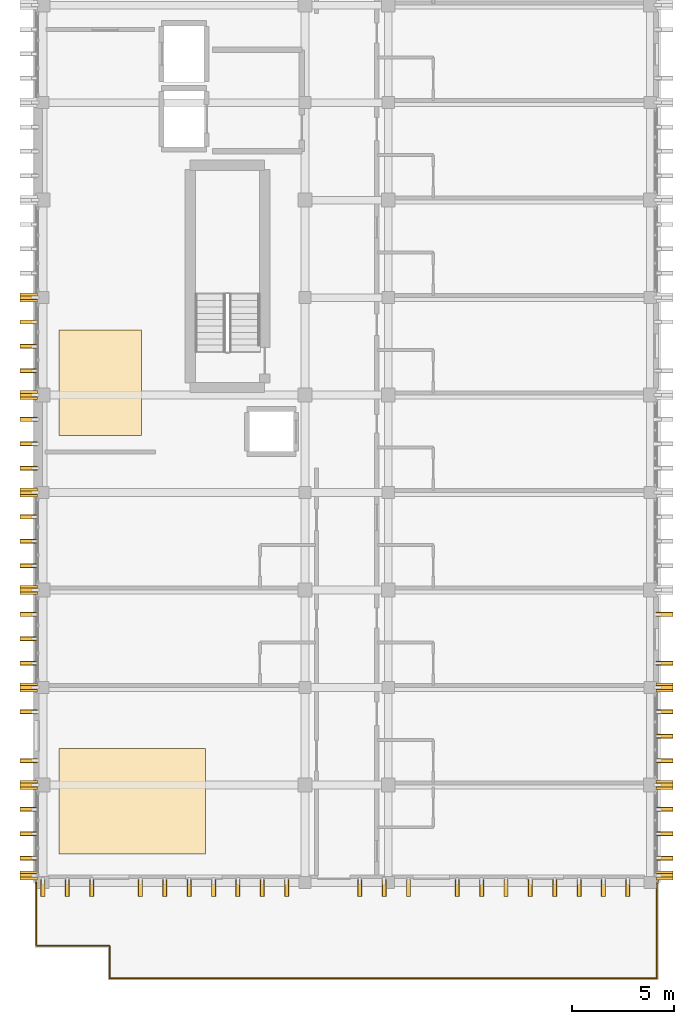
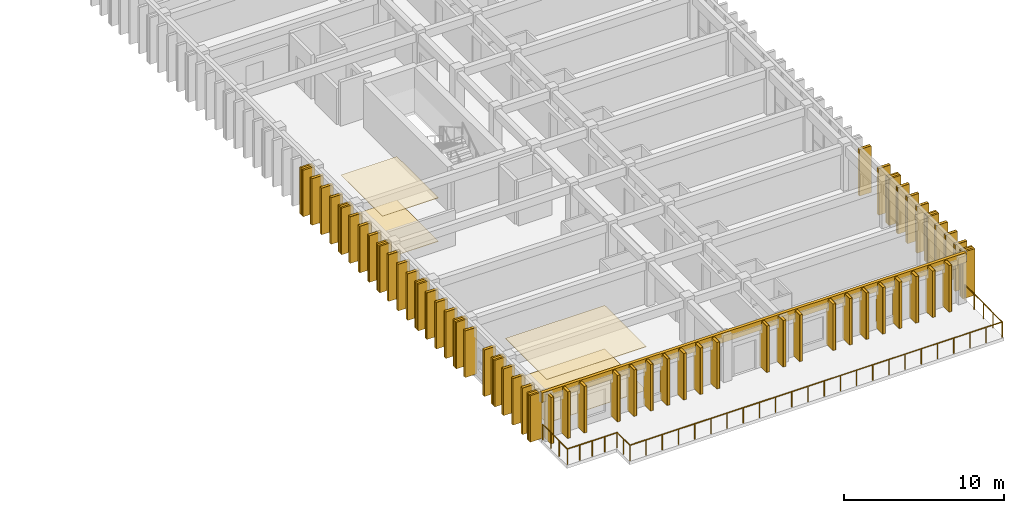
# One storey, part 49 of 53: 61 coverings, 56 shading devices, 1 railing.
"""IFC4 building model written with IfcOpenShell, lengths in metres."""

from ifc_helpers import new_model, si_unit, direction, frame, origin, origin_2d, place, context, subcontext, project, spatial, polyline, rectangle, circle, outline, extrude, material, layer, layer_set, type_object, element, save


model = new_model("IFC4")

# Units and contexts
model_context = context("Model", 3, precision=1e-05, world=origin(), true_north=direction((0.0, 1.0)))
body_context = subcontext(model_context, "Body", "Model", "MODEL_VIEW")
ifc_project = project(units=[si_unit("LENGTHUNIT", "METRE"), si_unit("AREAUNIT", "SQUARE_METRE"), si_unit("VOLUMEUNIT", "CUBIC_METRE"), si_unit("PLANEANGLEUNIT", "RADIAN"), si_unit("MASSUNIT", "GRAM", prefix="KILO")], contexts=[model_context])

# Site, building, storey
site_placement = place(None, origin())
site = spatial("IfcSite", under=ifc_project, at=site_placement, CompositionType="ELEMENT")
building_placement = place(site_placement, origin())
building = spatial("IfcBuilding", under=site, at=building_placement, Name="Nakhvara Creek Congress Hotel", CompositionType="ELEMENT")
storey_placement = place(building_placement, frame((0.0, 0.0, 35.39990234375)))
storey = spatial("IfcBuildingStorey", under=building, at=storey_placement, Name="L08", CompositionType="ELEMENT", Elevation=35.39990234375)

# Coverings
ifc_material_1 = material(Name="Acoustic mineral-fibre and gypsum ceiling board")
ifc_layer_1 = layer(ifc_material_1, 0.0400390625)
ifc_layer_set_1 = layer_set([ifc_layer_1], Name="Acoustic mineral-fibre and gypsum ceiling board")
covering_type_1 = type_object("IfcCoveringType", Name="COV-CEIL-AC", PredefinedType="CEILING", material=ifc_layer_set_1)
covering_1_placement = place(storey_placement, frame((0.0, 0.0, 3.3251953125)))
element("IfcCovering", 1, at=covering_1_placement, inside=storey, type_object=covering_type_1, Name="Acoustic Ceiling L08-LNG-01", PredefinedType="CEILING", context=body_context, shape_type="SweptSolid", body=[
    extrude(outline(polyline([(150.25, 54.199951171875), (157.449951171875, 54.199951171875), (157.449951171875, 59.39990234375), (150.25, 59.39990234375), (150.25, 54.199951171875)])), origin(), (0.0, 0.0, 1.0), 0.034912109375),
])
covering_2_placement = place(storey_placement, frame((0.0, 0.0, 3.3251953125)))
element("IfcCovering", 2, at=covering_2_placement, inside=storey, type_object=covering_type_1, Name="Acoustic Ceiling L08-WSV-01", PredefinedType="CEILING", context=body_context, shape_type="SweptSolid", body=[
    extrude(outline(polyline([(150.25, 74.800048828125), (154.300048828125, 74.800048828125), (154.300048828125, 80.0), (150.25, 80.0), (150.25, 74.800048828125)])), origin(), (0.0, 0.0, 1.0), 0.034912109375),
])
ifc_material_2 = material(Name="Honed pale Omani limestone architectural cladding", Category="masonry")
ifc_layer_2 = layer(ifc_material_2, 0.219970703125)
ifc_layer_set_2 = layer_set([ifc_layer_2], Name="Honed pale Omani limestone architectural cladding")
covering_type_2 = type_object("IfcCoveringType", Name="COV-FIN-850", PredefinedType="CLADDING", material=ifc_layer_set_2)
for number, where, z_axis, x_axis, name in (
    (3, (180.054931640625, 53.14990234375, 0.0), (0.0, 0.0, 1.0), (0.0, 1.0, 0.0), "Pale Limestone Fin Cladding CF01-1975"),
    (4, (148.7451171875, 53.14990234375, 0.0), (0.0, 0.0, 1.0), (0.0, 1.0, 0.0), "Pale Limestone Fin Cladding CF01-1976"),
):
    element("IfcCovering", number, at=place(storey_placement, frame(where, z_axis=z_axis, x_axis=x_axis)), inside=storey, type_object=covering_type_2, Name=name, PredefinedType="CLADDING", context=body_context, shape_type="SweptSolid", body=[
        extrude(rectangle(XDim=0.43994140625, YDim=0.85009765625, at=origin_2d()), origin(), (0.0, 0.0, 1.0), 3.56005859375),
    ])
for number, where, z_axis, x_axis, name in (
    (5, (180.054931640625, 54.0, 0.0), (0.0, 0.0, 1.0), (0.0, 1.0, 0.0), "Pale Limestone Fin Cladding CF01-1977"),
    (6, (148.7451171875, 54.0, 0.0), (0.0, 0.0, 1.0), (0.0, 1.0, 0.0), "Pale Limestone Fin Cladding CF01-1978"),
    (7, (180.054931640625, 55.199951171875, 0.0), (0.0, 0.0, 1.0), (0.0, 1.0, 0.0), "Pale Limestone Fin Cladding CF01-1979"),
    (8, (148.7451171875, 55.199951171875, 0.0), (0.0, 0.0, 1.0), (0.0, 1.0, 0.0), "Pale Limestone Fin Cladding CF01-1980"),
    (9, (180.054931640625, 56.39990234375, 0.0), (0.0, 0.0, 1.0), (0.0, 1.0, 0.0), "Pale Limestone Fin Cladding CF01-1981"),
    (10, (148.7451171875, 56.39990234375, 0.0), (0.0, 0.0, 1.0), (0.0, 1.0, 0.0), "Pale Limestone Fin Cladding CF01-1982"),
):
    element("IfcCovering", number, at=place(storey_placement, frame(where, z_axis=z_axis, x_axis=x_axis)), inside=storey, type_object=covering_type_2, Name=name, PredefinedType="CLADDING", context=body_context, shape_type="SweptSolid", body=[
        extrude(rectangle(XDim=0.219970703125, YDim=0.85009765625, at=origin_2d()), origin(), (0.0, 0.0, 1.0), 3.56005859375),
    ])
for number, where, z_axis, x_axis, name in (
    (11, (180.054931640625, 57.60009765625, 0.0), (0.0, 0.0, 1.0), (0.0, 1.0, 0.0), "Pale Limestone Fin Cladding CF01-1983"),
    (12, (148.7451171875, 57.60009765625, 0.0), (0.0, 0.0, 1.0), (0.0, 1.0, 0.0), "Pale Limestone Fin Cladding CF01-1984"),
):
    element("IfcCovering", number, at=place(storey_placement, frame(where, z_axis=z_axis, x_axis=x_axis)), inside=storey, type_object=covering_type_2, Name=name, PredefinedType="CLADDING", context=body_context, shape_type="SweptSolid", body=[
        extrude(rectangle(XDim=0.43994140625, YDim=0.85009765625, at=origin_2d()), origin(), (0.0, 0.0, 1.0), 3.56005859375),
    ])
for number, where, z_axis, x_axis, name in (
    (13, (180.054931640625, 58.800048828125, 0.0), (0.0, 0.0, 1.0), (0.0, 1.0, 0.0), "Pale Limestone Fin Cladding CF01-1985"),
    (14, (148.7451171875, 58.800048828125, 0.0), (0.0, 0.0, 1.0), (0.0, 1.0, 0.0), "Pale Limestone Fin Cladding CF01-1986"),
    (15, (180.054931640625, 60.0, 0.0), (0.0, 0.0, 1.0), (0.0, 1.0, 0.0), "Pale Limestone Fin Cladding CF01-1987"),
    (16, (180.054931640625, 61.199951171875, 0.0), (0.0, 0.0, 1.0), (0.0, 1.0, 0.0), "Pale Limestone Fin Cladding CF01-1988"),
    (17, (148.7451171875, 61.199951171875, 0.0), (0.0, 0.0, 1.0), (0.0, 1.0, 0.0), "Pale Limestone Fin Cladding CF01-1989"),
):
    element("IfcCovering", number, at=place(storey_placement, frame(where, z_axis=z_axis, x_axis=x_axis)), inside=storey, type_object=covering_type_2, Name=name, PredefinedType="CLADDING", context=body_context, shape_type="SweptSolid", body=[
        extrude(rectangle(XDim=0.219970703125, YDim=0.85009765625, at=origin_2d()), origin(), (0.0, 0.0, 1.0), 3.56005859375),
    ])
for number, where, z_axis, x_axis, name in (
    (18, (180.054931640625, 62.39990234375, 0.0), (0.0, 0.0, 1.0), (0.0, 1.0, 0.0), "Pale Limestone Fin Cladding CF01-1990"),
    (19, (148.7451171875, 62.39990234375, 0.0), (0.0, 0.0, 1.0), (0.0, 1.0, 0.0), "Pale Limestone Fin Cladding CF01-1991"),
):
    element("IfcCovering", number, at=place(storey_placement, frame(where, z_axis=z_axis, x_axis=x_axis)), inside=storey, type_object=covering_type_2, Name=name, PredefinedType="CLADDING", context=body_context, shape_type="SweptSolid", body=[
        extrude(rectangle(XDim=0.43994140625, YDim=0.85009765625, at=origin_2d()), origin(), (0.0, 0.0, 1.0), 3.56005859375),
    ])
for number, where, z_axis, x_axis, name in (
    (20, (180.054931640625, 63.60009765625, 0.0), (0.0, 0.0, 1.0), (0.0, 1.0, 0.0), "Pale Limestone Fin Cladding CF01-1992"),
    (21, (148.7451171875, 63.60009765625, 0.0), (0.0, 0.0, 1.0), (0.0, 1.0, 0.0), "Pale Limestone Fin Cladding CF01-1993"),
    (22, (148.7451171875, 64.800048828125, 0.0), (0.0, 0.0, 1.0), (0.0, 1.0, 0.0), "Pale Limestone Fin Cladding CF01-1994"),
    (23, (180.054931640625, 66.0, 0.0), (0.0, 0.0, 1.0), (0.0, 1.0, 0.0), "Pale Limestone Fin Cladding CF01-1995"),
    (24, (148.7451171875, 66.0, 0.0), (0.0, 0.0, 1.0), (0.0, 1.0, 0.0), "Pale Limestone Fin Cladding CF01-1996"),
):
    element("IfcCovering", number, at=place(storey_placement, frame(where, z_axis=z_axis, x_axis=x_axis)), inside=storey, type_object=covering_type_2, Name=name, PredefinedType="CLADDING", context=body_context, shape_type="SweptSolid", body=[
        extrude(rectangle(XDim=0.219970703125, YDim=0.85009765625, at=origin_2d()), origin(), (0.0, 0.0, 1.0), 3.56005859375),
    ])
covering_3_placement = place(storey_placement, frame((148.7451171875, 67.199951171875, 0.0), z_axis=(0.0, 0.0, 1.0), x_axis=(0.0, 1.0, 0.0)))
element("IfcCovering", 25, at=covering_3_placement, inside=storey, type_object=covering_type_2, Name="Pale Limestone Fin Cladding CF01-1998", PredefinedType="CLADDING", context=body_context, shape_type="SweptSolid", body=[
    extrude(rectangle(XDim=0.43994140625, YDim=0.85009765625, at=origin_2d()), origin(), (0.0, 0.0, 1.0), 3.56005859375),
])
for number, where, z_axis, x_axis, name in (
    (26, (148.7451171875, 68.39990234375, 0.0), (0.0, 0.0, 1.0), (0.0, 1.0, 0.0), "Pale Limestone Fin Cladding CF01-2000"),
    (27, (148.7451171875, 69.60009765625, 0.0), (0.0, 0.0, 1.0), (0.0, 1.0, 0.0), "Pale Limestone Fin Cladding CF01-2002"),
    (28, (148.7451171875, 70.800048828125, 0.0), (0.0, 0.0, 1.0), (0.0, 1.0, 0.0), "Pale Limestone Fin Cladding CF01-2004"),
):
    element("IfcCovering", number, at=place(storey_placement, frame(where, z_axis=z_axis, x_axis=x_axis)), inside=storey, type_object=covering_type_2, Name=name, PredefinedType="CLADDING", context=body_context, shape_type="SweptSolid", body=[
        extrude(rectangle(XDim=0.219970703125, YDim=0.85009765625, at=origin_2d()), origin(), (0.0, 0.0, 1.0), 3.56005859375),
    ])
covering_4_placement = place(storey_placement, frame((148.7451171875, 72.0, 0.0), z_axis=(0.0, 0.0, 1.0), x_axis=(0.0, 1.0, 0.0)))
element("IfcCovering", 29, at=covering_4_placement, inside=storey, type_object=covering_type_2, Name="Pale Limestone Fin Cladding CF01-2006", PredefinedType="CLADDING", context=body_context, shape_type="SweptSolid", body=[
    extrude(rectangle(XDim=0.43994140625, YDim=0.85009765625, at=origin_2d()), origin(), (0.0, 0.0, 1.0), 3.56005859375),
])
for number, where, z_axis, x_axis, name in (
    (30, (148.7451171875, 73.199951171875, 0.0), (0.0, 0.0, 1.0), (0.0, 1.0, 0.0), "Pale Limestone Fin Cladding CF01-2008"),
    (31, (148.7451171875, 74.39990234375, 0.0), (0.0, 0.0, 1.0), (0.0, 1.0, 0.0), "Pale Limestone Fin Cladding CF01-2010"),
    (32, (148.7451171875, 75.60009765625, 0.0), (0.0, 0.0, 1.0), (0.0, 1.0, 0.0), "Pale Limestone Fin Cladding CF01-2012"),
):
    element("IfcCovering", number, at=place(storey_placement, frame(where, z_axis=z_axis, x_axis=x_axis)), inside=storey, type_object=covering_type_2, Name=name, PredefinedType="CLADDING", context=body_context, shape_type="SweptSolid", body=[
        extrude(rectangle(XDim=0.219970703125, YDim=0.85009765625, at=origin_2d()), origin(), (0.0, 0.0, 1.0), 3.56005859375),
    ])
covering_5_placement = place(storey_placement, frame((148.7451171875, 76.800048828125, 0.0), z_axis=(0.0, 0.0, 1.0), x_axis=(0.0, 1.0, 0.0)))
element("IfcCovering", 33, at=covering_5_placement, inside=storey, type_object=covering_type_2, Name="Pale Limestone Fin Cladding CF01-2014", PredefinedType="CLADDING", context=body_context, shape_type="SweptSolid", body=[
    extrude(rectangle(XDim=0.43994140625, YDim=0.85009765625, at=origin_2d()), origin(), (0.0, 0.0, 1.0), 3.56005859375),
])
for number, where, z_axis, x_axis, name in (
    (34, (148.7451171875, 78.0, 0.0), (0.0, 0.0, 1.0), (0.0, 1.0, 0.0), "Pale Limestone Fin Cladding CF01-2016"),
    (35, (148.7451171875, 79.199951171875, 0.0), (0.0, 0.0, 1.0), (0.0, 1.0, 0.0), "Pale Limestone Fin Cladding CF01-2017"),
    (36, (148.7451171875, 80.39990234375, 0.0), (0.0, 0.0, 1.0), (0.0, 1.0, 0.0), "Pale Limestone Fin Cladding CF01-2019"),
):
    element("IfcCovering", number, at=place(storey_placement, frame(where, z_axis=z_axis, x_axis=x_axis)), inside=storey, type_object=covering_type_2, Name=name, PredefinedType="CLADDING", context=body_context, shape_type="SweptSolid", body=[
        extrude(rectangle(XDim=0.219970703125, YDim=0.85009765625, at=origin_2d()), origin(), (0.0, 0.0, 1.0), 3.56005859375),
    ])
covering_6_placement = place(storey_placement, frame((148.7451171875, 81.60009765625, 0.0), z_axis=(0.0, 0.0, 1.0), x_axis=(0.0, 1.0, 0.0)))
element("IfcCovering", 37, at=covering_6_placement, inside=storey, type_object=covering_type_2, Name="Pale Limestone Fin Cladding CF01-2021", PredefinedType="CLADDING", context=body_context, shape_type="SweptSolid", body=[
    extrude(rectangle(XDim=0.43994140625, YDim=0.85009765625, at=origin_2d()), origin(), (0.0, 0.0, 1.0), 3.56005859375),
])
for number, where, z_axis, x_axis, name in (
    (38, (149.449951171875, 52.534912109375, 0.0), (0.0, 0.0, 1.0), (1.0, 0.0, 0.0), "Pale Limestone Fin Cladding CF01-2094"),
    (39, (150.64990234375, 52.534912109375, 0.0), (0.0, 0.0, 1.0), (1.0, 0.0, 0.0), "Pale Limestone Fin Cladding CF01-2096"),
    (40, (151.85009765625, 52.534912109375, 0.0), (0.0, 0.0, 1.0), (1.0, 0.0, 0.0), "Pale Limestone Fin Cladding CF01-2098"),
    (41, (154.25, 52.534912109375, 0.0), (0.0, 0.0, 1.0), (1.0, 0.0, 0.0), "Pale Limestone Fin Cladding CF01-2100"),
    (42, (155.449951171875, 52.534912109375, 0.0), (0.0, 0.0, 1.0), (1.0, 0.0, 0.0), "Pale Limestone Fin Cladding CF01-2102"),
    (43, (156.64990234375, 52.534912109375, 0.0), (0.0, 0.0, 1.0), (1.0, 0.0, 0.0), "Pale Limestone Fin Cladding CF01-2104"),
    (44, (157.85009765625, 52.534912109375, 0.0), (0.0, 0.0, 1.0), (1.0, 0.0, 0.0), "Pale Limestone Fin Cladding CF01-2106"),
    (45, (159.050048828125, 52.534912109375, 0.0), (0.0, 0.0, 1.0), (1.0, 0.0, 0.0), "Pale Limestone Fin Cladding CF01-2108"),
    (46, (160.25, 52.534912109375, 0.0), (0.0, 0.0, 1.0), (1.0, 0.0, 0.0), "Pale Limestone Fin Cladding CF01-2110"),
    (47, (161.449951171875, 52.534912109375, 0.0), (0.0, 0.0, 1.0), (1.0, 0.0, 0.0), "Pale Limestone Fin Cladding CF01-2112"),
    (48, (165.050048828125, 52.534912109375, 0.0), (0.0, 0.0, 1.0), (1.0, 0.0, 0.0), "Pale Limestone Fin Cladding CF01-2116"),
    (49, (166.25, 52.534912109375, 0.0), (0.0, 0.0, 1.0), (1.0, 0.0, 0.0), "Pale Limestone Fin Cladding CF01-2118"),
    (50, (167.449951171875, 52.534912109375, 0.0), (0.0, 0.0, 1.0), (1.0, 0.0, 0.0), "Pale Limestone Fin Cladding CF01-2120"),
    (51, (169.85009765625, 52.534912109375, 0.0), (0.0, 0.0, 1.0), (1.0, 0.0, 0.0), "Pale Limestone Fin Cladding CF01-2123"),
    (52, (171.050048828125, 52.534912109375, 0.0), (0.0, 0.0, 1.0), (1.0, 0.0, 0.0), "Pale Limestone Fin Cladding CF01-2125"),
    (53, (172.25, 52.534912109375, 0.0), (0.0, 0.0, 1.0), (1.0, 0.0, 0.0), "Pale Limestone Fin Cladding CF01-2127"),
    (54, (173.449951171875, 52.534912109375, 0.0), (0.0, 0.0, 1.0), (1.0, 0.0, 0.0), "Pale Limestone Fin Cladding CF01-2129"),
    (55, (174.64990234375, 52.534912109375, 0.0), (0.0, 0.0, 1.0), (1.0, 0.0, 0.0), "Pale Limestone Fin Cladding CF01-2131"),
    (56, (175.85009765625, 52.534912109375, 0.0), (0.0, 0.0, 1.0), (1.0, 0.0, 0.0), "Pale Limestone Fin Cladding CF01-2132"),
    (57, (177.050048828125, 52.534912109375, 0.0), (0.0, 0.0, 1.0), (1.0, 0.0, 0.0), "Pale Limestone Fin Cladding CF01-2134"),
    (58, (178.25, 52.534912109375, 0.0), (0.0, 0.0, 1.0), (1.0, 0.0, 0.0), "Pale Limestone Fin Cladding CF01-2136"),
):
    element("IfcCovering", number, at=place(storey_placement, frame(where, z_axis=z_axis, x_axis=x_axis)), inside=storey, type_object=covering_type_2, Name=name, PredefinedType="CLADDING", context=body_context, shape_type="SweptSolid", body=[
        extrude(rectangle(XDim=0.219970703125, YDim=0.85009765625, at=origin_2d()), origin(), (0.0, 0.0, 1.0), 3.56005859375),
    ])
ifc_material_3 = material(Name="Honed limestone and terrazzo acoustic floor finish", Category="masonry")
ifc_layer_3 = layer(ifc_material_3, 0.044921875)
ifc_layer_set_3 = layer_set([ifc_layer_3], Name="Honed limestone and terrazzo acoustic floor finish")
covering_type_3 = type_object("IfcCoveringType", Name="COV-FLR-TER", PredefinedType="FLOORING", material=ifc_layer_set_3)
covering_7_placement = place(storey_placement, origin())
element("IfcCovering", 59, at=covering_7_placement, inside=storey, type_object=covering_type_3, Name="Floor Finish L08-LNG-01", PredefinedType="FLOORING", context=body_context, shape_type="SweptSolid", body=[
    extrude(outline(polyline([(150.25, 54.199951171875), (157.449951171875, 54.199951171875), (157.449951171875, 59.39990234375), (150.25, 59.39990234375), (150.25, 54.199951171875)])), origin(), (0.0, 0.0, 1.0), 0.030029296875),
])
covering_8_placement = place(storey_placement, origin())
element("IfcCovering", 60, at=covering_8_placement, inside=storey, type_object=covering_type_3, Name="Floor Finish L08-WSV-01", PredefinedType="FLOORING", context=body_context, shape_type="SweptSolid", body=[
    extrude(outline(polyline([(150.25, 74.800048828125), (154.300048828125, 74.800048828125), (154.300048828125, 80.0), (150.25, 80.0), (150.25, 74.800048828125)])), origin(), (0.0, 0.0, 1.0), 0.030029296875),
])
ifc_layer_4 = layer(ifc_material_2, 0.179931640625)
ifc_layer_set_4 = layer_set([ifc_layer_4], Name="Honed pale Omani limestone architectural cladding")
covering_type_4 = type_object("IfcCoveringType", Name="COV-SPN-180", PredefinedType="CLADDING", material=ifc_layer_set_4)
covering_9_placement = place(storey_placement, frame((164.39990234375, 52.830078125, 2.91015625), z_axis=(0.0, 0.0, 1.0), x_axis=(1.0, 0.0, 0.0)))
element("IfcCovering", 61, at=covering_9_placement, inside=storey, type_object=covering_type_4, Name="Pale Limestone Spandrel Band CF02-0076", PredefinedType="CLADDING", context=body_context, shape_type="SweptSolid", body=[
    extrude(rectangle(XDim=30.699951171875, YDim=0.219970703125, at=origin_2d()), origin(), (0.0, 0.0, 1.0), 0.72998046875),
])

# Railing
ifc_material_4 = material(Name="Bronze-anodised aluminium and laminated safety glass balustrade", Category="aluminium")
railing_type = type_object("IfcRailingType", Name="RL-BALUS-1200", PredefinedType="BALUSTRADE", material=ifc_material_4)
railing_placement = place(storey_placement, frame((149.1298828125, 52.760009765625, 0.0)))
element("IfcRailing", 62, at=railing_placement, inside=storey, type_object=railing_type, Name="Terrace Balustrade GR02-L08-006", PredefinedType="BALUSTRADE", context=body_context, shape_type="SweptSolid", body=[
    extrude(circle(Radius=0.02392578125, at=origin_2d()), frame((0.0, -0.0146484375, 1.17578125), z_axis=(0.0, -1.0, 0.0), x_axis=(1.0, 0.0, 0.0)), (0.0, 0.0, 1.0), 3.05078125),
    extrude(circle(Radius=0.02392578125, at=origin_2d()), frame((0.0146484375, -3.080078125, 1.17578125), z_axis=(1.0, 0.0, 0.0), x_axis=(0.0, 1.0, 0.0)), (0.0, 0.0, 1.0), 3.57080078125),
    extrude(circle(Radius=0.02392578125, at=origin_2d()), frame((3.60009765625, -3.0947265625, 1.17578125), z_axis=(0.0, -1.0, 0.0), x_axis=(1.0, 0.0, 0.0)), (0.0, 0.0, 1.0), 1.570556640625),
    extrude(circle(Radius=0.02392578125, at=origin_2d()), frame((3.61474609375, -4.679931640625, 1.17578125), z_axis=(1.0, 0.0, 0.0), x_axis=(0.0, 1.0, 0.0)), (0.0, 0.0, 1.0), 26.91064453125),
    extrude(circle(Radius=0.02392578125, at=origin_2d()), frame((30.5400390625, -4.665283203125, 1.17578125), z_axis=(0.0, 1.0, 0.0), x_axis=(-1.0, 0.0, 0.0)), (0.0, 0.0, 1.0), 4.650634765625),
    extrude(circle(Radius=0.02099609375, at=origin_2d()), origin(), (0.0, 0.0, 1.0), 1.1806640625),
    extrude(circle(Radius=0.02099609375, at=origin_2d()), frame((0.0, -1.026611328125, 0.0)), (0.0, 0.0, 1.0), 1.1806640625),
    extrude(circle(Radius=0.02099609375, at=origin_2d()), frame((0.0, -2.053466796875, 0.0)), (0.0, 0.0, 1.0), 1.1806640625),
    extrude(circle(Radius=0.02099609375, at=origin_2d()), frame((0.0, -3.080078125, 0.0)), (0.0, 0.0, 1.0), 1.1806640625),
    extrude(circle(Radius=0.02099609375, at=origin_2d()), frame((0.89990234375, -3.080078125, 0.0)), (0.0, 0.0, 1.0), 1.1806640625),
    extrude(circle(Radius=0.02099609375, at=origin_2d()), frame((1.800048828125, -3.080078125, 0.0)), (0.0, 0.0, 1.0), 1.1806640625),
    extrude(circle(Radius=0.02099609375, at=origin_2d()), frame((2.7001953125, -3.080078125, 0.0)), (0.0, 0.0, 1.0), 1.1806640625),
    extrude(circle(Radius=0.02099609375, at=origin_2d()), frame((3.60009765625, -3.080078125, 0.0)), (0.0, 0.0, 1.0), 1.1806640625),
    extrude(circle(Radius=0.02099609375, at=origin_2d()), frame((3.60009765625, -3.8798828125, 0.0)), (0.0, 0.0, 1.0), 1.1806640625),
    extrude(circle(Radius=0.02099609375, at=origin_2d()), frame((3.60009765625, -4.679931640625, 0.0)), (0.0, 0.0, 1.0), 1.1806640625),
    extrude(circle(Radius=0.02099609375, at=origin_2d()), frame((4.771484375, -4.679931640625, 0.0)), (0.0, 0.0, 1.0), 1.1806640625),
    extrude(circle(Radius=0.02099609375, at=origin_2d()), frame((5.942626953125, -4.679931640625, 0.0)), (0.0, 0.0, 1.0), 1.1806640625),
    extrude(circle(Radius=0.02099609375, at=origin_2d()), frame((7.114013671875, -4.679931640625, 0.0)), (0.0, 0.0, 1.0), 1.1806640625),
    extrude(circle(Radius=0.02099609375, at=origin_2d()), frame((8.285400390625, -4.679931640625, 0.0)), (0.0, 0.0, 1.0), 1.1806640625),
    extrude(circle(Radius=0.02099609375, at=origin_2d()), frame((9.45654296875, -4.679931640625, 0.0)), (0.0, 0.0, 1.0), 1.1806640625),
    extrude(circle(Radius=0.02099609375, at=origin_2d()), frame((10.6279296875, -4.679931640625, 0.0)), (0.0, 0.0, 1.0), 1.1806640625),
    extrude(circle(Radius=0.02099609375, at=origin_2d()), frame((11.79931640625, -4.679931640625, 0.0)), (0.0, 0.0, 1.0), 1.1806640625),
    extrude(circle(Radius=0.02099609375, at=origin_2d()), frame((12.970458984375, -4.679931640625, 0.0)), (0.0, 0.0, 1.0), 1.1806640625),
    extrude(circle(Radius=0.02099609375, at=origin_2d()), frame((14.141845703125, -4.679931640625, 0.0)), (0.0, 0.0, 1.0), 1.1806640625),
    extrude(circle(Radius=0.02099609375, at=origin_2d()), frame((15.313232421875, -4.679931640625, 0.0)), (0.0, 0.0, 1.0), 1.1806640625),
    extrude(circle(Radius=0.02099609375, at=origin_2d()), frame((16.484375, -4.679931640625, 0.0)), (0.0, 0.0, 1.0), 1.1806640625),
    extrude(circle(Radius=0.02099609375, at=origin_2d()), frame((17.65576171875, -4.679931640625, 0.0)), (0.0, 0.0, 1.0), 1.1806640625),
    extrude(circle(Radius=0.02099609375, at=origin_2d()), frame((18.826904296875, -4.679931640625, 0.0)), (0.0, 0.0, 1.0), 1.1806640625),
    extrude(circle(Radius=0.02099609375, at=origin_2d()), frame((19.998291015625, -4.679931640625, 0.0)), (0.0, 0.0, 1.0), 1.1806640625),
    extrude(circle(Radius=0.02099609375, at=origin_2d()), frame((21.169677734375, -4.679931640625, 0.0)), (0.0, 0.0, 1.0), 1.1806640625),
    extrude(circle(Radius=0.02099609375, at=origin_2d()), frame((22.3408203125, -4.679931640625, 0.0)), (0.0, 0.0, 1.0), 1.1806640625),
    extrude(circle(Radius=0.02099609375, at=origin_2d()), frame((23.51220703125, -4.679931640625, 0.0)), (0.0, 0.0, 1.0), 1.1806640625),
    extrude(circle(Radius=0.02099609375, at=origin_2d()), frame((24.68359375, -4.679931640625, 0.0)), (0.0, 0.0, 1.0), 1.1806640625),
    extrude(circle(Radius=0.02099609375, at=origin_2d()), frame((25.854736328125, -4.679931640625, 0.0)), (0.0, 0.0, 1.0), 1.1806640625),
    extrude(circle(Radius=0.02099609375, at=origin_2d()), frame((27.026123046875, -4.679931640625, 0.0)), (0.0, 0.0, 1.0), 1.1806640625),
    extrude(circle(Radius=0.02099609375, at=origin_2d()), frame((28.197509765625, -4.679931640625, 0.0)), (0.0, 0.0, 1.0), 1.1806640625),
    extrude(circle(Radius=0.02099609375, at=origin_2d()), frame((29.36865234375, -4.679931640625, 0.0)), (0.0, 0.0, 1.0), 1.1806640625),
    extrude(circle(Radius=0.02099609375, at=origin_2d()), frame((30.5400390625, -4.679931640625, 0.0)), (0.0, 0.0, 1.0), 1.1806640625),
    extrude(circle(Radius=0.02099609375, at=origin_2d()), frame((30.5400390625, -3.510009765625, 0.0)), (0.0, 0.0, 1.0), 1.1806640625),
    extrude(circle(Radius=0.02099609375, at=origin_2d()), frame((30.5400390625, -2.33984375, 0.0)), (0.0, 0.0, 1.0), 1.1806640625),
    extrude(circle(Radius=0.02099609375, at=origin_2d()), frame((30.5400390625, -1.169921875, 0.0)), (0.0, 0.0, 1.0), 1.1806640625),
    extrude(circle(Radius=0.02099609375, at=origin_2d()), frame((30.5400390625, 0.0, 0.0)), (0.0, 0.0, 1.0), 1.1806640625),
])

# Shading devices
ifc_material_5 = material(Name="Honed pale Omani limestone cladding on stainless steel spine", Category="masonry")
shading_device_type = type_object("IfcShadingDeviceType", Name="SHD-FIN-850X3600", PredefinedType="USERDEFINED", material=ifc_material_5)
for number, where, z_axis, x_axis, name in (
    (63, (180.054931640625, 53.14990234375, 0.0), (0.0, 0.0, 1.0), (0.0, 1.0, 0.0), "Limestone Solar Fin FN01-1840"),
    (64, (148.7451171875, 53.14990234375, 0.0), (0.0, 0.0, 1.0), (0.0, 1.0, 0.0), "Limestone Solar Fin FN01-1841"),
    (65, (180.054931640625, 54.0, 0.0), (0.0, 0.0, 1.0), (0.0, 1.0, 0.0), "Limestone Solar Fin FN01-1842"),
    (66, (148.7451171875, 54.0, 0.0), (0.0, 0.0, 1.0), (0.0, 1.0, 0.0), "Limestone Solar Fin FN01-1843"),
    (67, (180.054931640625, 55.199951171875, 0.0), (0.0, 0.0, 1.0), (0.0, 1.0, 0.0), "Limestone Solar Fin FN01-1844"),
    (68, (148.7451171875, 55.199951171875, 0.0), (0.0, 0.0, 1.0), (0.0, 1.0, 0.0), "Limestone Solar Fin FN01-1845"),
    (69, (180.054931640625, 56.39990234375, 0.0), (0.0, 0.0, 1.0), (0.0, 1.0, 0.0), "Limestone Solar Fin FN01-1846"),
    (70, (148.7451171875, 56.39990234375, 0.0), (0.0, 0.0, 1.0), (0.0, 1.0, 0.0), "Limestone Solar Fin FN01-1847"),
    (71, (180.054931640625, 57.60009765625, 0.0), (0.0, 0.0, 1.0), (0.0, 1.0, 0.0), "Limestone Solar Fin FN01-1848"),
    (72, (148.7451171875, 57.60009765625, 0.0), (0.0, 0.0, 1.0), (0.0, 1.0, 0.0), "Limestone Solar Fin FN01-1849"),
    (73, (180.054931640625, 58.800048828125, 0.0), (0.0, 0.0, 1.0), (0.0, 1.0, 0.0), "Limestone Solar Fin FN01-1850"),
    (74, (148.7451171875, 58.800048828125, 0.0), (0.0, 0.0, 1.0), (0.0, 1.0, 0.0), "Limestone Solar Fin FN01-1851"),
    (75, (180.054931640625, 60.0, 0.0), (0.0, 0.0, 1.0), (0.0, 1.0, 0.0), "Limestone Solar Fin FN01-1852"),
    (76, (180.054931640625, 61.199951171875, 0.0), (0.0, 0.0, 1.0), (0.0, 1.0, 0.0), "Limestone Solar Fin FN01-1853"),
    (77, (148.7451171875, 61.199951171875, 0.0), (0.0, 0.0, 1.0), (0.0, 1.0, 0.0), "Limestone Solar Fin FN01-1854"),
    (78, (180.054931640625, 62.39990234375, 0.0), (0.0, 0.0, 1.0), (0.0, 1.0, 0.0), "Limestone Solar Fin FN01-1855"),
    (79, (148.7451171875, 62.39990234375, 0.0), (0.0, 0.0, 1.0), (0.0, 1.0, 0.0), "Limestone Solar Fin FN01-1856"),
    (80, (180.054931640625, 63.60009765625, 0.0), (0.0, 0.0, 1.0), (0.0, 1.0, 0.0), "Limestone Solar Fin FN01-1857"),
    (81, (148.7451171875, 63.60009765625, 0.0), (0.0, 0.0, 1.0), (0.0, 1.0, 0.0), "Limestone Solar Fin FN01-1858"),
    (82, (148.7451171875, 64.800048828125, 0.0), (0.0, 0.0, 1.0), (0.0, 1.0, 0.0), "Limestone Solar Fin FN01-1859"),
    (83, (180.054931640625, 66.0, 0.0), (0.0, 0.0, 1.0), (0.0, 1.0, 0.0), "Limestone Solar Fin FN01-1860"),
    (84, (148.7451171875, 66.0, 0.0), (0.0, 0.0, 1.0), (0.0, 1.0, 0.0), "Limestone Solar Fin FN01-1861"),
    (85, (148.7451171875, 67.199951171875, 0.0), (0.0, 0.0, 1.0), (0.0, 1.0, 0.0), "Limestone Solar Fin FN01-1863"),
    (86, (148.7451171875, 68.39990234375, 0.0), (0.0, 0.0, 1.0), (0.0, 1.0, 0.0), "Limestone Solar Fin FN01-1865"),
    (87, (148.7451171875, 69.60009765625, 0.0), (0.0, 0.0, 1.0), (0.0, 1.0, 0.0), "Limestone Solar Fin FN01-1867"),
    (88, (148.7451171875, 70.800048828125, 0.0), (0.0, 0.0, 1.0), (0.0, 1.0, 0.0), "Limestone Solar Fin FN01-1869"),
    (89, (148.7451171875, 72.0, 0.0), (0.0, 0.0, 1.0), (0.0, 1.0, 0.0), "Limestone Solar Fin FN01-1871"),
    (90, (148.7451171875, 73.199951171875, 0.0), (0.0, 0.0, 1.0), (0.0, 1.0, 0.0), "Limestone Solar Fin FN01-1873"),
    (91, (148.7451171875, 74.39990234375, 0.0), (0.0, 0.0, 1.0), (0.0, 1.0, 0.0), "Limestone Solar Fin FN01-1875"),
    (92, (148.7451171875, 75.60009765625, 0.0), (0.0, 0.0, 1.0), (0.0, 1.0, 0.0), "Limestone Solar Fin FN01-1877"),
    (93, (148.7451171875, 76.800048828125, 0.0), (0.0, 0.0, 1.0), (0.0, 1.0, 0.0), "Limestone Solar Fin FN01-1879"),
    (94, (148.7451171875, 78.0, 0.0), (0.0, 0.0, 1.0), (0.0, 1.0, 0.0), "Limestone Solar Fin FN01-1881"),
    (95, (148.7451171875, 79.199951171875, 0.0), (0.0, 0.0, 1.0), (0.0, 1.0, 0.0), "Limestone Solar Fin FN01-1882"),
    (96, (148.7451171875, 80.39990234375, 0.0), (0.0, 0.0, 1.0), (0.0, 1.0, 0.0), "Limestone Solar Fin FN01-1884"),
    (97, (148.7451171875, 81.60009765625, 0.0), (0.0, 0.0, 1.0), (0.0, 1.0, 0.0), "Limestone Solar Fin FN01-1886"),
    (98, (149.449951171875, 52.534912109375, 0.0), (0.0, 0.0, 1.0), (1.0, 0.0, 0.0), "Limestone Solar Fin FN01-1959"),
    (99, (150.64990234375, 52.534912109375, 0.0), (0.0, 0.0, 1.0), (1.0, 0.0, 0.0), "Limestone Solar Fin FN01-1961"),
    (100, (151.85009765625, 52.534912109375, 0.0), (0.0, 0.0, 1.0), (1.0, 0.0, 0.0), "Limestone Solar Fin FN01-1963"),
    (101, (154.25, 52.534912109375, 0.0), (0.0, 0.0, 1.0), (1.0, 0.0, 0.0), "Limestone Solar Fin FN01-1965"),
    (102, (155.449951171875, 52.534912109375, 0.0), (0.0, 0.0, 1.0), (1.0, 0.0, 0.0), "Limestone Solar Fin FN01-1967"),
    (103, (156.64990234375, 52.534912109375, 0.0), (0.0, 0.0, 1.0), (1.0, 0.0, 0.0), "Limestone Solar Fin FN01-1969"),
    (104, (157.85009765625, 52.534912109375, 0.0), (0.0, 0.0, 1.0), (1.0, 0.0, 0.0), "Limestone Solar Fin FN01-1971"),
    (105, (159.050048828125, 52.534912109375, 0.0), (0.0, 0.0, 1.0), (1.0, 0.0, 0.0), "Limestone Solar Fin FN01-1973"),
    (106, (160.25, 52.534912109375, 0.0), (0.0, 0.0, 1.0), (1.0, 0.0, 0.0), "Limestone Solar Fin FN01-1975"),
    (107, (161.449951171875, 52.534912109375, 0.0), (0.0, 0.0, 1.0), (1.0, 0.0, 0.0), "Limestone Solar Fin FN01-1977"),
    (108, (165.050048828125, 52.534912109375, 0.0), (0.0, 0.0, 1.0), (1.0, 0.0, 0.0), "Limestone Solar Fin FN01-1981"),
    (109, (166.25, 52.534912109375, 0.0), (0.0, 0.0, 1.0), (1.0, 0.0, 0.0), "Limestone Solar Fin FN01-1983"),
    (110, (167.449951171875, 52.534912109375, 0.0), (0.0, 0.0, 1.0), (1.0, 0.0, 0.0), "Limestone Solar Fin FN01-1985"),
    (111, (169.85009765625, 52.534912109375, 0.0), (0.0, 0.0, 1.0), (1.0, 0.0, 0.0), "Limestone Solar Fin FN01-1988"),
    (112, (171.050048828125, 52.534912109375, 0.0), (0.0, 0.0, 1.0), (1.0, 0.0, 0.0), "Limestone Solar Fin FN01-1990"),
    (113, (172.25, 52.534912109375, 0.0), (0.0, 0.0, 1.0), (1.0, 0.0, 0.0), "Limestone Solar Fin FN01-1992"),
    (114, (173.449951171875, 52.534912109375, 0.0), (0.0, 0.0, 1.0), (1.0, 0.0, 0.0), "Limestone Solar Fin FN01-1994"),
    (115, (174.64990234375, 52.534912109375, 0.0), (0.0, 0.0, 1.0), (1.0, 0.0, 0.0), "Limestone Solar Fin FN01-1996"),
    (116, (175.85009765625, 52.534912109375, 0.0), (0.0, 0.0, 1.0), (1.0, 0.0, 0.0), "Limestone Solar Fin FN01-1997"),
    (117, (177.050048828125, 52.534912109375, 0.0), (0.0, 0.0, 1.0), (1.0, 0.0, 0.0), "Limestone Solar Fin FN01-1999"),
    (118, (178.25, 52.534912109375, 0.0), (0.0, 0.0, 1.0), (1.0, 0.0, 0.0), "Limestone Solar Fin FN01-2001"),
):
    element("IfcShadingDevice", number, at=place(storey_placement, frame(where, z_axis=z_axis, x_axis=x_axis)), inside=storey, type_object=shading_device_type, Name=name, ObjectType="FIN", PredefinedType="USERDEFINED", context=body_context, shape_type="SweptSolid", body=[
        extrude(rectangle(XDim=0.179931640625, YDim=0.85009765625, at=origin_2d()), origin(), (0.0, 0.0, 1.0), 3.56005859375),
    ])

save(model, "model.ifc")
